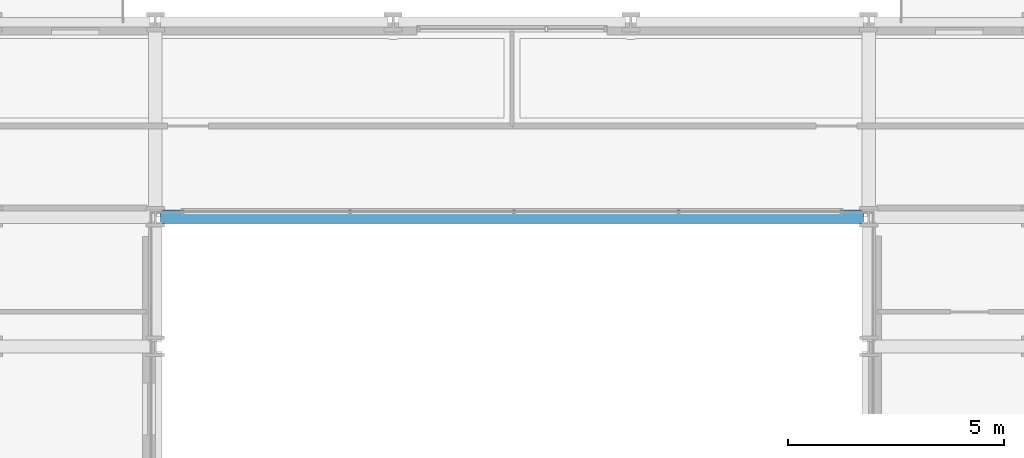
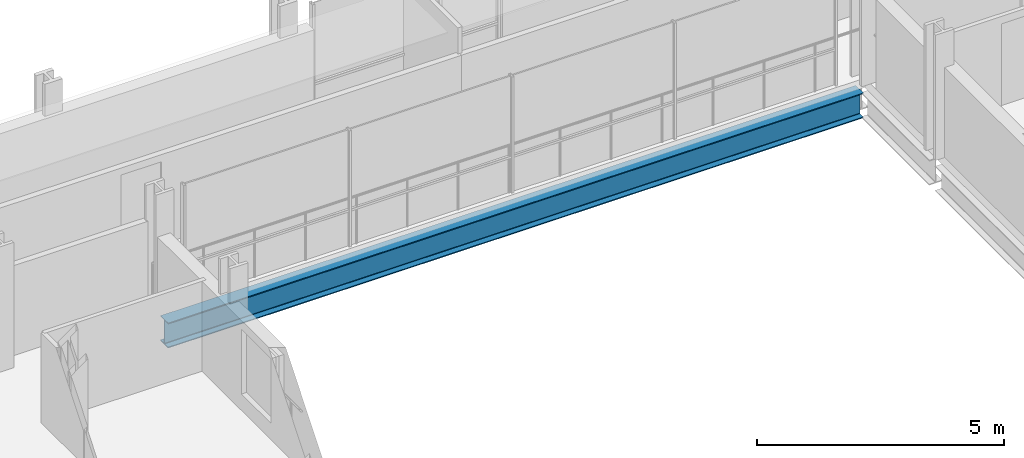
# One storey, part 10 of 38: 1 beam.
"""IFC4 building model written with IfcOpenShell, lengths in metres."""

from ifc_helpers import new_model, si_unit, direction, frame, origin, origin_2d, place, context, subcontext, project, spatial, i_section, extrude, material, material_profile, profile_set, type_object, element, save


model = new_model("IFC4")

# Units and contexts
model_context = context("Model", 3, precision=1e-05, world=origin(), true_north=direction((0.0, 1.0)))
body_context = subcontext(model_context, "Body", "Model", "MODEL_VIEW")
ifc_project = project(units=[si_unit("LENGTHUNIT", "METRE"), si_unit("AREAUNIT", "SQUARE_METRE"), si_unit("VOLUMEUNIT", "CUBIC_METRE"), si_unit("PLANEANGLEUNIT", "RADIAN"), si_unit("MASSUNIT", "GRAM", prefix="KILO")], contexts=[model_context])

# Site, building, storey
site_placement = place(None, origin())
site = spatial("IfcSite", under=ifc_project, at=site_placement, CompositionType="ELEMENT")
building_placement = place(site_placement, origin())
building = spatial("IfcBuilding", under=site, at=building_placement, Name="Brevholm Reach", CompositionType="ELEMENT")
storey_placement = place(building_placement, frame((0.0, 0.0, 46.60009765625)))
storey = spatial("IfcBuildingStorey", under=building, at=storey_placement, Name="L12", CompositionType="ELEMENT", Elevation=46.60009765625)

# Beam
ifc_material = material(Name="Structural Steel S355J2", Category="steel")
ifc_material_profile = material_profile(ifc_material, i_section(OverallWidth=0.30712890625, OverallDepth=0.6201171875, WebThickness=0.01416015625, FlangeThickness=0.023681640625, FilletRadius=0.0166015625, at=origin_2d()), Name="UKB 610x305x179")
ifc_profile_set = profile_set([ifc_material_profile], Name="Structural Steel S355J2")
beam_type = type_object("IfcBeamType", Name="BM-UKB610H", PredefinedType="USERDEFINED", material=ifc_profile_set)
beam_placement = place(storey_placement, frame((21.8701171875, 26.5, -0.540283203125), z_axis=(1.0, 0.0, 0.0), x_axis=(0.0, 1.0, 0.0)))
element("IfcBeam", 1, at=beam_placement, inside=storey, type_object=beam_type, Name="L12 G-06 Framing Beam", ObjectType="GIRDER", PredefinedType="USERDEFINED", context=body_context, shape_type="SweptSolid", body=[
    extrude(i_section(OverallWidth=0.30712890625, OverallDepth=0.6201171875, WebThickness=0.01416015625, FlangeThickness=0.023681640625, FilletRadius=0.0166015625, at=origin_2d()), origin(), (0.0, 0.0, 1.0), 16.259765625),
])

save(model, "model.ifc")
